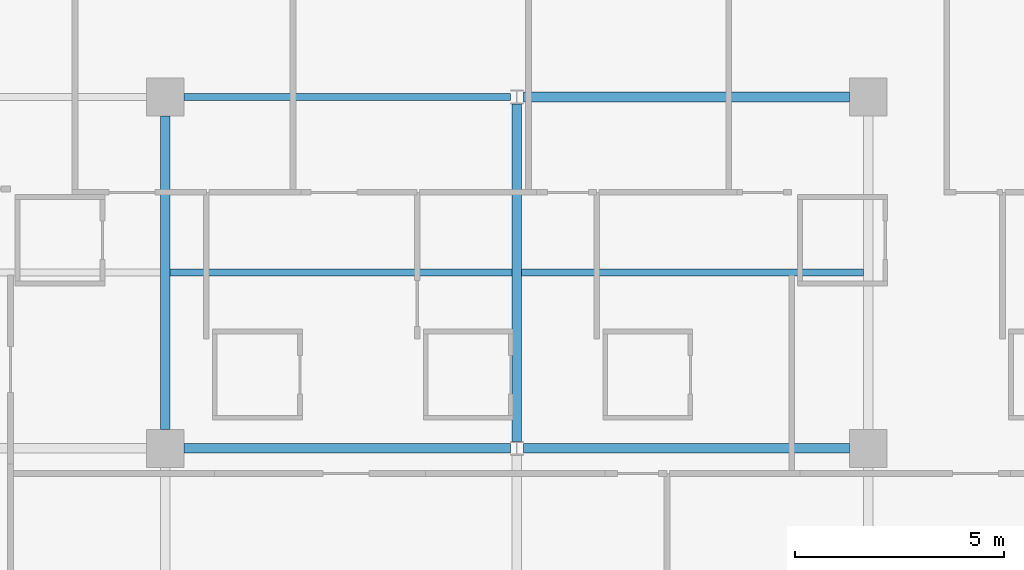
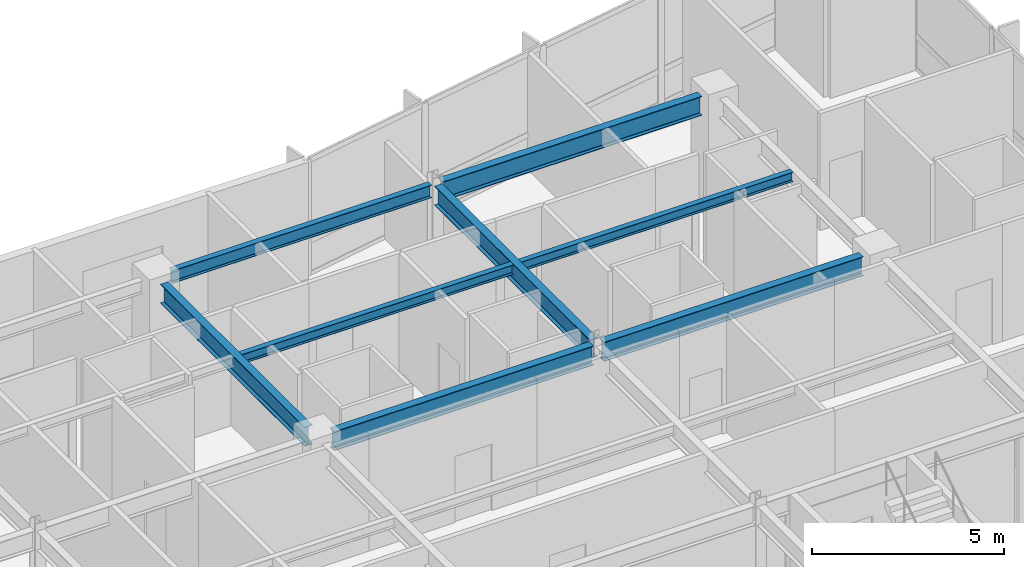
# One storey, part 6 of 22: 8 beams.
"""IFC4 building model written with IfcOpenShell, lengths in metres."""

from ifc_helpers import new_model, si_unit, direction, frame, origin, origin_2d, place, context, subcontext, project, spatial, i_section, extrude, material, material_profile, profile_set, type_object, element, save


model = new_model("IFC4")

# Units and contexts
model_context = context("Model", 3, precision=1e-05, world=origin(), true_north=direction((0.0, 1.0)))
body_context = subcontext(model_context, "Body", "Model", "MODEL_VIEW")
ifc_project = project(units=[si_unit("LENGTHUNIT", "METRE"), si_unit("AREAUNIT", "SQUARE_METRE"), si_unit("VOLUMEUNIT", "CUBIC_METRE"), si_unit("PLANEANGLEUNIT", "RADIAN"), si_unit("MASSUNIT", "GRAM", prefix="KILO")], contexts=[model_context])

# Site, building, storey
site_placement = place(None, origin())
site = spatial("IfcSite", under=ifc_project, at=site_placement, CompositionType="ELEMENT")
building_placement = place(site_placement, origin())
building = spatial("IfcBuilding", under=site, at=building_placement, Name="Varnakote Quay Hospital", CompositionType="ELEMENT")
storey_placement = place(building_placement, frame((0.0, 0.0, 65.949951171875)))
storey = spatial("IfcBuildingStorey", under=building, at=storey_placement, Name="L16", CompositionType="ELEMENT", Elevation=65.949951171875)

# Beams
ifc_material_1 = material(Name="Structural steel AS/NZS 3679.1 Grade 350 L0 (fy 340 MPa)", Category="steel")
ifc_material_profile_1 = material_profile(ifc_material_1, i_section(OverallWidth=0.22900390625, OverallDepth=0.612060546875, WebThickness=0.011962890625, FlangeThickness=0.01953125, FilletRadius=0.013916015625, at=origin_2d()), Name="610UB125")
ifc_profile_set_1 = profile_set([ifc_material_profile_1], Name="Structural steel AS/NZS 3679.1 Grade 350 L0 (fy 340 MPa)")
beam_type_1 = type_object("IfcBeamType", Name="BM-STL-610UB125", PredefinedType="BEAM", material=ifc_profile_set_1)
for number, where, z_axis, x_axis, name in (
    (1, (34.050048828125, 20.39990234375, 3.404052734375), (1.0, 0.0, 0.0), (0.0, 1.0, 0.0), "L16 Primary Floor Beam"),
    (2, (42.155517578125, 20.39990234375, 3.404052734375), (1.0, 0.0, 0.0), (0.0, 1.0, 0.0), "L16 Primary Floor Beam"),
    (3, (42.155517578125, 28.800048828125, 3.404052734375), (1.0, 0.0, 0.0), (0.0, 1.0, 0.0), "L16 Primary Floor Beam"),
):
    element("IfcBeam", number, at=place(storey_placement, frame(where, z_axis=z_axis, x_axis=x_axis)), inside=storey, type_object=beam_type_1, Name=name, PredefinedType="BEAM", context=body_context, shape_type="SweptSolid", body=[
        extrude(i_section(OverallWidth=0.22900390625, OverallDepth=0.612060546875, WebThickness=0.011962890625, FlangeThickness=0.01953125, FilletRadius=0.013916015625, at=origin_2d()), origin(), (0.0, 0.0, 1.0), 7.79443359375),
    ])
beam_1_placement = place(storey_placement, frame((33.60009765625, 20.85009765625, 3.404052734375), z_axis=(0.0, 1.0, 0.0), x_axis=(-1.0, 0.0, 0.0)))
element("IfcBeam", 4, at=beam_1_placement, inside=storey, type_object=beam_type_1, Name="L16 Primary Tie Beam", PredefinedType="BEAM", context=body_context, shape_type="SweptSolid", body=[
    extrude(i_section(OverallWidth=0.22900390625, OverallDepth=0.612060546875, WebThickness=0.011962890625, FlangeThickness=0.01953125, FilletRadius=0.013916015625, at=origin_2d()), origin(), (0.0, 0.0, 1.0), 7.5),
])
beam_2_placement = place(storey_placement, frame((42.0, 20.5634765625, 3.404052734375), z_axis=(0.0, 1.0, 0.0), x_axis=(-1.0, 0.0, 0.0)))
element("IfcBeam", 5, at=beam_2_placement, inside=storey, type_object=beam_type_1, Name="L16 Primary Tie Beam", PredefinedType="BEAM", context=body_context, shape_type="SweptSolid", body=[
    extrude(i_section(OverallWidth=0.22900390625, OverallDepth=0.612060546875, WebThickness=0.011962890625, FlangeThickness=0.01953125, FilletRadius=0.013916015625, at=origin_2d()), origin(), (0.0, 0.0, 1.0), 8.072998046875),
])
ifc_material_2 = material(Name="Structural steel AS/NZS 3679.1 Grade 350 L0 (fy 340 MPa)", Category="steel")
ifc_material_profile_2 = material_profile(ifc_material_2, i_section(OverallWidth=0.166015625, OverallDepth=0.306884765625, WebThickness=0.006591796875, FlangeThickness=0.01171875, FilletRadius=0.011474609375, at=origin_2d()), Name="310UB46.2")
ifc_profile_set_2 = profile_set([ifc_material_profile_2], Name="Structural steel AS/NZS 3679.1 Grade 350 L0 (fy 340 MPa)")
beam_type_2 = type_object("IfcBeamType", Name="JST-STL-310UB46-2", PredefinedType="JOIST", material=ifc_profile_set_2)
for number, where, z_axis, x_axis, name in (
    (6, (33.714599609375, 24.60009765625, 3.556640625), (1.0, 0.0, 0.0), (0.0, 1.0, 0.0), "L16 Composite Floor Joist"),
    (7, (42.114501953125, 24.60009765625, 3.556640625), (1.0, 0.0, 0.0), (0.0, 1.0, 0.0), "L16 Composite Floor Joist"),
):
    element("IfcBeam", number, at=place(storey_placement, frame(where, z_axis=z_axis, x_axis=x_axis)), inside=storey, type_object=beam_type_2, Name=name, PredefinedType="JOIST", context=body_context, shape_type="SweptSolid", body=[
        extrude(i_section(OverallWidth=0.166015625, OverallDepth=0.306884765625, WebThickness=0.006591796875, FlangeThickness=0.01171875, FilletRadius=0.011474609375, at=origin_2d()), origin(), (0.0, 0.0, 1.0), 8.1708984375),
    ])
ifc_material_3 = material(Name="Structural steel AS/NZS 3679.1 Grade 350 L0 (fy 340 MPa)", Category="steel")
ifc_material_profile_3 = material_profile(ifc_material_3, i_section(OverallWidth=0.177978515625, OverallDepth=0.406005859375, WebThickness=0.0078125, FlangeThickness=0.0126953125, FilletRadius=0.011474609375, at=origin_2d()), Name="410UB59.7")
ifc_profile_set_3 = profile_set([ifc_material_profile_3], Name="Structural steel AS/NZS 3679.1 Grade 350 L0 (fy 340 MPa)")
beam_type_3 = type_object("IfcBeamType", Name="SPN-STL-410UB59-7", PredefinedType="SPANDREL", material=ifc_profile_set_3)
beam_3_placement = place(storey_placement, frame((34.050048828125, 28.800048828125, 3.507080078125), z_axis=(1.0, 0.0, 0.0), x_axis=(0.0, 1.0, 0.0)))
element("IfcBeam", 8, at=beam_3_placement, inside=storey, type_object=beam_type_3, Name="L16 Perimeter Spandrel Beam", PredefinedType="SPANDREL", context=body_context, shape_type="SweptSolid", body=[
    extrude(i_section(OverallWidth=0.177978515625, OverallDepth=0.406005859375, WebThickness=0.0078125, FlangeThickness=0.0126953125, FilletRadius=0.011474609375, at=origin_2d()), origin(), (0.0, 0.0, 1.0), 7.79443359375),
])

save(model, "model.ifc")
